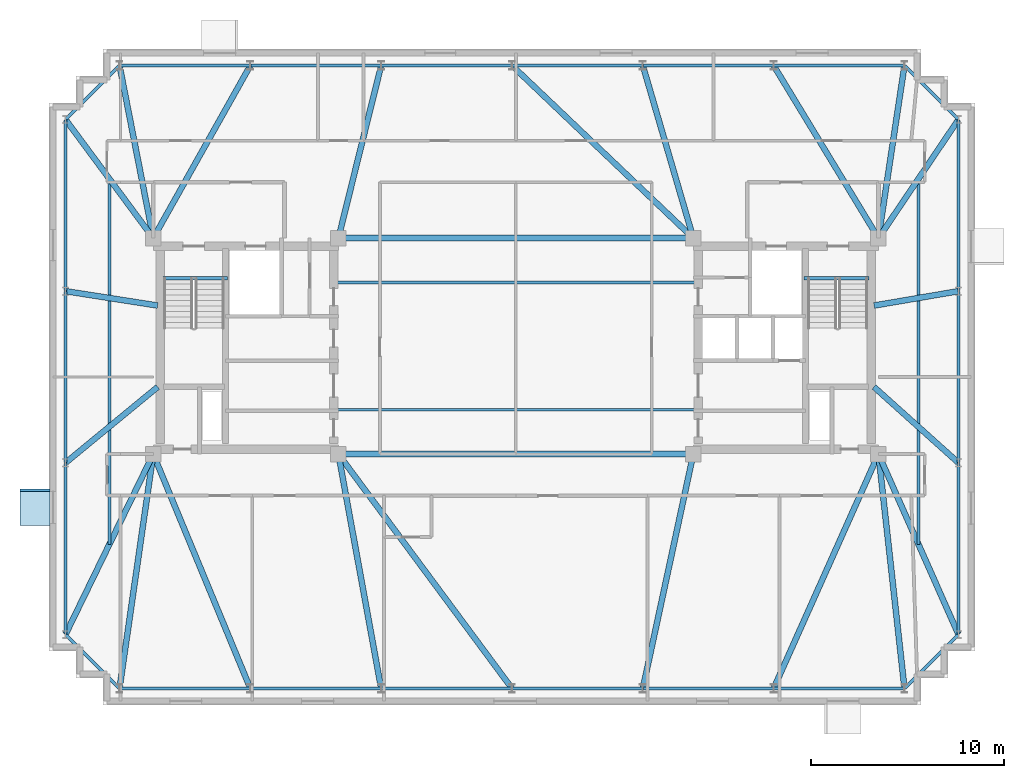
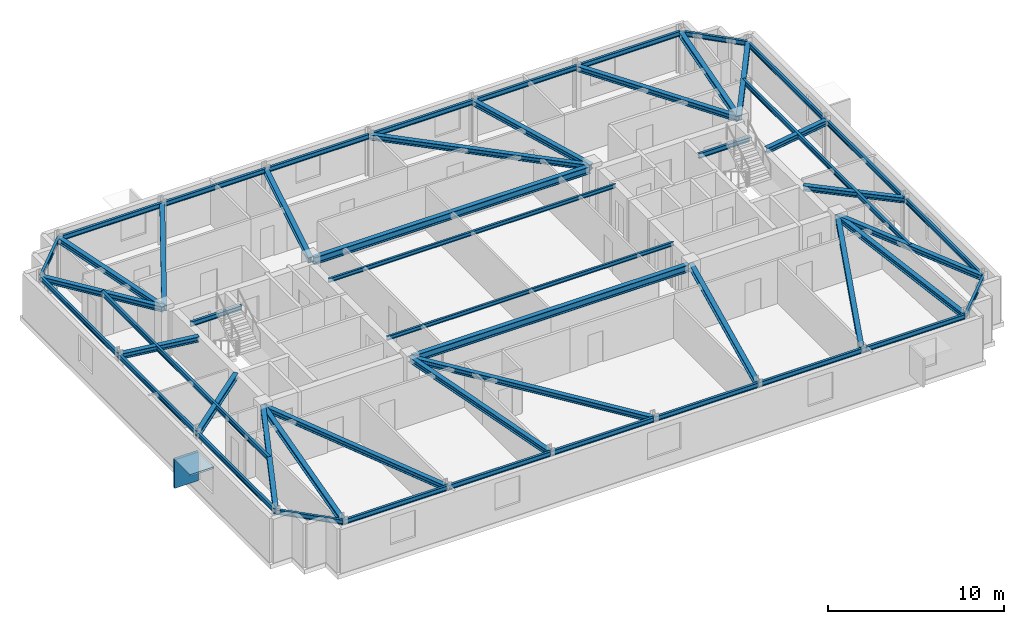
# One storey, part 4 of 10: 52 beams, 2 plates.
"""IFC4 building model written with IfcOpenShell, lengths in metres."""

from ifc_helpers import new_model, si_unit, direction, frame, origin, origin_2d, place, context, subcontext, project, spatial, rectangle, i_section, extrude, material, layer, layer_set, material_profile, profile_set, type_object, element, save


model = new_model("IFC4")

# Units and contexts
model_context = context("Model", 3, precision=1e-05, world=origin(), true_north=direction((0.0, 1.0)))
body_context = subcontext(model_context, "Body", "Model", "MODEL_VIEW")
ifc_project = project(units=[si_unit("LENGTHUNIT", "METRE"), si_unit("AREAUNIT", "SQUARE_METRE"), si_unit("VOLUMEUNIT", "CUBIC_METRE"), si_unit("PLANEANGLEUNIT", "RADIAN"), si_unit("MASSUNIT", "GRAM", prefix="KILO")], contexts=[model_context])

# Site, building, storey
site_placement = place(None, origin())
site = spatial("IfcSite", under=ifc_project, at=site_placement, CompositionType="ELEMENT")
building_placement = place(site_placement, origin())
building = spatial("IfcBuilding", under=site, at=building_placement, Name="Qobustan Lattice House", CompositionType="ELEMENT")
storey_placement = place(building_placement, frame((0.0, 0.0, 238.35009765625)))
storey = spatial("IfcBuildingStorey", under=building, at=storey_placement, Name="L67", CompositionType="ELEMENT", Elevation=238.35009765625)

# Beams
ifc_material_1 = material(Name="Steel S355", Category="steel")
ifc_material_profile_1 = material_profile(ifc_material_1, i_section(OverallWidth=0.300048828125, OverallDepth=0.5, WebThickness=0.014404296875, FlangeThickness=0.028076171875, FilletRadius=0.027099609375, at=origin_2d()), Name="HEB500")
ifc_profile_set_1 = profile_set([ifc_material_profile_1], Name="Steel S355")
beam_type_1 = type_object("IfcBeamType", Name="BM-CG-HEB500", PredefinedType="USERDEFINED", material=ifc_profile_set_1)
for number, where, z_axis, x_axis, name in (
    (1, (-9.050048828125, -5.60009765625, 2.789794921875), (1.0, 0.0, 0.0), (0.0, 1.0, 0.0), "L67 core spine girder CG-CS"),
    (2, (-9.050048828125, 5.60009765625, 2.789794921875), (1.0, 0.0, 0.0), (0.0, 1.0, 0.0), "L67 core spine girder CG-CN"),
):
    element("IfcBeam", number, at=place(storey_placement, frame(where, z_axis=z_axis, x_axis=x_axis)), inside=storey, type_object=beam_type_1, Name=name, ObjectType="GIRDER", PredefinedType="USERDEFINED", context=body_context, shape_type="SweptSolid", body=[
        extrude(i_section(OverallWidth=0.300048828125, OverallDepth=0.5, WebThickness=0.014404296875, FlangeThickness=0.028076171875, FilletRadius=0.027099609375, at=origin_2d()), origin(), (0.0, 0.0, 1.0), 18.10009765625),
    ])
ifc_material_2 = material(Name="Steel S355", Category="steel")
ifc_material_profile_2 = material_profile(ifc_material_2, i_section(OverallWidth=0.300048828125, OverallDepth=0.360107421875, WebThickness=0.012451171875, FlangeThickness=0.0224609375, FilletRadius=0.027099609375, at=origin_2d()), Name="HEB360")
ifc_profile_set_2 = profile_set([ifc_material_profile_2], Name="Steel S355")
beam_type_2 = type_object("IfcBeamType", Name="BM-FLG-HEB360", PredefinedType="USERDEFINED", material=ifc_profile_set_2)
beam_1_placement = place(storey_placement, frame((-20.54638671875, -17.725341796875, 2.85986328125), z_axis=(0.142545171265, 0.989788297642, 0.0), x_axis=(-0.989788297642, 0.142545171265, 0.0)))
element("IfcBeam", 3, at=beam_1_placement, inside=storey, type_object=beam_type_2, Name="L67 primary floor girder RAD-S1W", ObjectType="GIRDER", PredefinedType="USERDEFINED", context=body_context, shape_type="SweptSolid", body=[
    extrude(i_section(OverallWidth=0.300048828125, OverallDepth=0.360107421875, WebThickness=0.012451171875, FlangeThickness=0.0224609375, FilletRadius=0.027099609375, at=origin_2d()), origin(), (0.0, 0.0, 1.0), 12.225341796875),
])
beam_2_placement = place(storey_placement, frame((-13.7763671875, -17.726806640625, 2.85986328125), z_axis=(-0.38270783551, 0.92386942402, 0.0), x_axis=(-0.92386942402, -0.38270783551, 0.0)))
element("IfcBeam", 4, at=beam_2_placement, inside=storey, type_object=beam_type_2, Name="L67 primary floor girder RAD-S2", ObjectType="GIRDER", PredefinedType="USERDEFINED", context=body_context, shape_type="SweptSolid", body=[
    extrude(i_section(OverallWidth=0.300048828125, OverallDepth=0.360107421875, WebThickness=0.012451171875, FlangeThickness=0.0224609375, FilletRadius=0.027099609375, at=origin_2d()), origin(), (0.0, 0.0, 1.0), 13.10107421875),
])
beam_3_placement = place(storey_placement, frame((-6.98779296875, -17.725341796875, 2.85986328125), z_axis=(-0.179484493831, 0.983760802469, 0.0), x_axis=(-0.983760802469, -0.179484493831, 0.0)))
element("IfcBeam", 5, at=beam_3_placement, inside=storey, type_object=beam_type_2, Name="L67 primary floor girder RAD-S3", ObjectType="GIRDER", PredefinedType="USERDEFINED", context=body_context, shape_type="SweptSolid", body=[
    extrude(i_section(OverallWidth=0.300048828125, OverallDepth=0.360107421875, WebThickness=0.012451171875, FlangeThickness=0.0224609375, FilletRadius=0.027099609375, at=origin_2d()), origin(), (0.0, 0.0, 1.0), 12.300537109375),
])
beam_4_placement = place(storey_placement, frame((-0.21484375, -17.72998046875, 2.85986328125), z_axis=(-0.595225226069, 0.803558915233, 0.0), x_axis=(-0.803558915233, -0.595225226069, 0.0)))
element("IfcBeam", 6, at=beam_4_placement, inside=storey, type_object=beam_type_2, Name="L67 primary floor girder RAD-S4", ObjectType="GIRDER", PredefinedType="USERDEFINED", context=body_context, shape_type="SweptSolid", body=[
    extrude(i_section(OverallWidth=0.300048828125, OverallDepth=0.360107421875, WebThickness=0.012451171875, FlangeThickness=0.0224609375, FilletRadius=0.027099609375, at=origin_2d()), origin(), (0.0, 0.0, 1.0), 15.0703125),
])
beam_5_placement = place(storey_placement, frame((6.588623046875, -17.7255859375, 2.85986328125), z_axis=(0.210523018319, 0.977588900693, 0.0), x_axis=(-0.977588900693, 0.210523018319, 0.0)))
element("IfcBeam", 7, at=beam_5_placement, inside=storey, type_object=beam_type_2, Name="L67 primary floor girder RAD-S5", ObjectType="GIRDER", PredefinedType="USERDEFINED", context=body_context, shape_type="SweptSolid", body=[
    extrude(i_section(OverallWidth=0.300048828125, OverallDepth=0.360107421875, WebThickness=0.012451171875, FlangeThickness=0.0224609375, FilletRadius=0.027099609375, at=origin_2d()), origin(), (0.0, 0.0, 1.0), 12.37841796875),
])
beam_6_placement = place(storey_placement, frame((13.376953125, -17.727294921875, 2.85986328125), z_axis=(0.408219903586, 0.912883623643, 0.0), x_axis=(-0.912883623643, 0.408219903586, 0.0)))
element("IfcBeam", 8, at=beam_6_placement, inside=storey, type_object=beam_type_2, Name="L67 primary floor girder RAD-S6", ObjectType="GIRDER", PredefinedType="USERDEFINED", context=body_context, shape_type="SweptSolid", body=[
    extrude(i_section(OverallWidth=0.300048828125, OverallDepth=0.360107421875, WebThickness=0.012451171875, FlangeThickness=0.0224609375, FilletRadius=0.027099609375, at=origin_2d()), origin(), (0.0, 0.0, 1.0), 13.259521484375),
])
beam_7_placement = place(storey_placement, frame((20.147216796875, -17.72509765625, 2.85986328125), z_axis=(-0.110431526075, 0.993883734674, 0.0), x_axis=(-0.993883734674, -0.110431526075, 0.0)))
element("IfcBeam", 9, at=beam_7_placement, inside=storey, type_object=beam_type_2, Name="L67 primary floor girder RAD-S7E", ObjectType="GIRDER", PredefinedType="USERDEFINED", context=body_context, shape_type="SweptSolid", body=[
    extrude(i_section(OverallWidth=0.300048828125, OverallDepth=0.360107421875, WebThickness=0.012451171875, FlangeThickness=0.0224609375, FilletRadius=0.027099609375, at=origin_2d()), origin(), (0.0, 0.0, 1.0), 12.1748046875),
])
beam_8_placement = place(storey_placement, frame((-20.545166015625, 14.525390625, 2.85986328125), z_axis=(0.191905644581, -0.981413380578, 0.0), x_axis=(0.981413380578, 0.191905644581, 0.0)))
element("IfcBeam", 10, at=beam_8_placement, inside=storey, type_object=beam_type_2, Name="L67 primary floor girder RAD-N7W", ObjectType="GIRDER", PredefinedType="USERDEFINED", context=body_context, shape_type="SweptSolid", body=[
    extrude(i_section(OverallWidth=0.300048828125, OverallDepth=0.360107421875, WebThickness=0.012451171875, FlangeThickness=0.0224609375, FilletRadius=0.027099609375, at=origin_2d()), origin(), (0.0, 0.0, 1.0), 9.0693359375),
])
beam_9_placement = place(storey_placement, frame((-13.779052734375, 14.5283203125, 2.85986328125), z_axis=(-0.490160276962, -0.871632320929, 0.0), x_axis=(0.871632320929, -0.490160276962, 0.0)))
element("IfcBeam", 11, at=beam_9_placement, inside=storey, type_object=beam_type_2, Name="L67 primary floor girder RAD-N6", ObjectType="GIRDER", PredefinedType="USERDEFINED", context=body_context, shape_type="SweptSolid", body=[
    extrude(i_section(OverallWidth=0.300048828125, OverallDepth=0.360107421875, WebThickness=0.012451171875, FlangeThickness=0.0224609375, FilletRadius=0.027099609375, at=origin_2d()), origin(), (0.0, 0.0, 1.0), 10.21826171875),
])
beam_10_placement = place(storey_placement, frame((-6.9892578125, 14.525634765625, 2.85986328125), z_axis=(-0.240430288899, -0.970666408289, 0.0), x_axis=(0.970666408289, -0.240430288899, 0.0)))
element("IfcBeam", 12, at=beam_10_placement, inside=storey, type_object=beam_type_2, Name="L67 primary floor girder RAD-N5", ObjectType="GIRDER", PredefinedType="USERDEFINED", context=body_context, shape_type="SweptSolid", body=[
    extrude(i_section(OverallWidth=0.300048828125, OverallDepth=0.360107421875, WebThickness=0.012451171875, FlangeThickness=0.0224609375, FilletRadius=0.027099609375, at=origin_2d()), origin(), (0.0, 0.0, 1.0), 9.17041015625),
])
beam_11_placement = place(storey_placement, frame((-0.181884765625, 14.53271484375, 2.85986328125), z_axis=(0.724228633775, -0.689559921995, 0.0), x_axis=(0.689559921995, 0.724228633775, 0.0)))
element("IfcBeam", 13, at=beam_11_placement, inside=storey, type_object=beam_type_2, Name="L67 primary floor girder RAD-N4", ObjectType="GIRDER", PredefinedType="USERDEFINED", context=body_context, shape_type="SweptSolid", body=[
    extrude(i_section(OverallWidth=0.300048828125, OverallDepth=0.360107421875, WebThickness=0.012451171875, FlangeThickness=0.0224609375, FilletRadius=0.027099609375, at=origin_2d()), origin(), (0.0, 0.0, 1.0), 12.92919921875),
])
beam_12_placement = place(storey_placement, frame((6.59033203125, 14.52587890625, 2.85986328125), z_axis=(0.28063676088, -0.959814048888, 0.0), x_axis=(0.959814048888, 0.28063676088, 0.0)))
element("IfcBeam", 14, at=beam_12_placement, inside=storey, type_object=beam_type_2, Name="L67 primary floor girder RAD-N3", ObjectType="GIRDER", PredefinedType="USERDEFINED", context=body_context, shape_type="SweptSolid", body=[
    extrude(i_section(OverallWidth=0.300048828125, OverallDepth=0.360107421875, WebThickness=0.012451171875, FlangeThickness=0.0224609375, FilletRadius=0.027099609375, at=origin_2d()), origin(), (0.0, 0.0, 1.0), 9.274658203125),
])
beam_13_placement = place(storey_placement, frame((13.379638671875, 14.528564453125, 2.85986328125), z_axis=(0.518943895492, -0.854808302096, 0.0), x_axis=(0.854808302096, 0.518943895492, 0.0)))
element("IfcBeam", 15, at=beam_13_placement, inside=storey, type_object=beam_type_2, Name="L67 primary floor girder RAD-N2", ObjectType="GIRDER", PredefinedType="USERDEFINED", context=body_context, shape_type="SweptSolid", body=[
    extrude(i_section(OverallWidth=0.300048828125, OverallDepth=0.360107421875, WebThickness=0.012451171875, FlangeThickness=0.0224609375, FilletRadius=0.027099609375, at=origin_2d()), origin(), (0.0, 0.0, 1.0), 10.420166015625),
])
beam_14_placement = place(storey_placement, frame((20.146240234375, 14.525390625, 2.85986328125), z_axis=(-0.149148118249, -0.988814865798, 0.0), x_axis=(0.988814865798, -0.149148118249, 0.0)))
element("IfcBeam", 16, at=beam_14_placement, inside=storey, type_object=beam_type_2, Name="L67 primary floor girder RAD-N1E", ObjectType="GIRDER", PredefinedType="USERDEFINED", context=body_context, shape_type="SweptSolid", body=[
    extrude(i_section(OverallWidth=0.300048828125, OverallDepth=0.360107421875, WebThickness=0.012451171875, FlangeThickness=0.0224609375, FilletRadius=0.027099609375, at=origin_2d()), origin(), (0.0, 0.0, 1.0), 9.001220703125),
])
beam_15_placement = place(storey_placement, frame((-23.335205078125, 11.72998046875, 2.85986328125), z_axis=(0.594754993974, -0.80390702021, 0.0), x_axis=(0.80390702021, 0.594754993974, 0.0)))
element("IfcBeam", 17, at=beam_15_placement, inside=storey, type_object=beam_type_2, Name="L67 primary floor girder RAD-W1", ObjectType="GIRDER", PredefinedType="USERDEFINED", context=body_context, shape_type="SweptSolid", body=[
    extrude(i_section(OverallWidth=0.300048828125, OverallDepth=0.360107421875, WebThickness=0.012451171875, FlangeThickness=0.0224609375, FilletRadius=0.027099609375, at=origin_2d()), origin(), (0.0, 0.0, 1.0), 7.60009765625),
])
beam_16_placement = place(storey_placement, frame((-23.3251953125, 2.84619140625, 2.85986328125), z_axis=(0.988014453876, -0.154361390677, 0.0), x_axis=(0.154361390677, 0.988014453876, 0.0)))
element("IfcBeam", 18, at=beam_16_placement, inside=storey, type_object=beam_type_2, Name="L67 primary floor girder RAD-W2", ObjectType="GIRDER", PredefinedType="USERDEFINED", context=body_context, shape_type="SweptSolid", body=[
    extrude(i_section(OverallWidth=0.300048828125, OverallDepth=0.360107421875, WebThickness=0.012451171875, FlangeThickness=0.0224609375, FilletRadius=0.027099609375, at=origin_2d()), origin(), (0.0, 0.0, 1.0), 4.80810546875),
])
beam_17_placement = place(storey_placement, frame((-23.330810546875, -6.0341796875, 2.85986328125), z_axis=(0.772169041192, 0.635417163621, 0.0), x_axis=(-0.635417163621, 0.772169041192, 0.0)))
element("IfcBeam", 19, at=beam_17_placement, inside=storey, type_object=beam_type_2, Name="L67 primary floor girder RAD-W3", ObjectType="GIRDER", PredefinedType="USERDEFINED", context=body_context, shape_type="SweptSolid", body=[
    extrude(i_section(OverallWidth=0.300048828125, OverallDepth=0.360107421875, WebThickness=0.012451171875, FlangeThickness=0.0224609375, FilletRadius=0.027099609375, at=origin_2d()), origin(), (0.0, 0.0, 1.0), 6.166259765625),
])
beam_18_placement = place(storey_placement, frame((-23.339111328125, -14.927490234375, 2.85986328125), z_axis=(0.437590490598, 0.899174378271, 0.0), x_axis=(-0.899174378271, 0.437590490598, 0.0)))
element("IfcBeam", 20, at=beam_18_placement, inside=storey, type_object=beam_type_2, Name="L67 primary floor girder RAD-W4", ObjectType="GIRDER", PredefinedType="USERDEFINED", context=body_context, shape_type="SweptSolid", body=[
    extrude(i_section(OverallWidth=0.300048828125, OverallDepth=0.360107421875, WebThickness=0.012451171875, FlangeThickness=0.0224609375, FilletRadius=0.027099609375, at=origin_2d()), origin(), (0.0, 0.0, 1.0), 10.348388671875),
])
beam_19_placement = place(storey_placement, frame((22.93603515625, 11.729248046875, 2.85986328125), z_axis=(-0.559355068937, -0.828928167488, 0.0), x_axis=(0.828928167488, -0.559355068937, 0.0)))
element("IfcBeam", 21, at=beam_19_placement, inside=storey, type_object=beam_type_2, Name="L67 primary floor girder RAD-E4", ObjectType="GIRDER", PredefinedType="USERDEFINED", context=body_context, shape_type="SweptSolid", body=[
    extrude(i_section(OverallWidth=0.300048828125, OverallDepth=0.360107421875, WebThickness=0.012451171875, FlangeThickness=0.0224609375, FilletRadius=0.027099609375, at=origin_2d()), origin(), (0.0, 0.0, 1.0), 7.369384765625),
])
beam_20_placement = place(storey_placement, frame((22.92529296875, 2.845703125, 2.85986328125), z_axis=(-0.985786297247, -0.168004095664, 0.0), x_axis=(0.168004095664, -0.985786297247, 0.0)))
element("IfcBeam", 22, at=beam_20_placement, inside=storey, type_object=beam_type_2, Name="L67 primary floor girder RAD-E3", ObjectType="GIRDER", PredefinedType="USERDEFINED", context=body_context, shape_type="SweptSolid", body=[
    extrude(i_section(OverallWidth=0.300048828125, OverallDepth=0.360107421875, WebThickness=0.012451171875, FlangeThickness=0.0224609375, FilletRadius=0.027099609375, at=origin_2d()), origin(), (0.0, 0.0, 1.0), 4.413330078125),
])
beam_21_placement = place(storey_placement, frame((22.931396484375, -6.033203125, 2.85986328125), z_axis=(-0.744142492307, 0.668020921186, 0.0), x_axis=(-0.668020921186, -0.744142492307, 0.0)))
element("IfcBeam", 23, at=beam_21_placement, inside=storey, type_object=beam_type_2, Name="L67 primary floor girder RAD-E2", ObjectType="GIRDER", PredefinedType="USERDEFINED", context=body_context, shape_type="SweptSolid", body=[
    extrude(i_section(OverallWidth=0.300048828125, OverallDepth=0.360107421875, WebThickness=0.012451171875, FlangeThickness=0.0224609375, FilletRadius=0.027099609375, at=origin_2d()), origin(), (0.0, 0.0, 1.0), 5.86279296875),
])
beam_22_placement = place(storey_placement, frame((22.93994140625, -14.927001953125, 2.85986328125), z_axis=(-0.405702269061, 0.914005289306, 0.0), x_axis=(-0.914005289306, -0.405702269061, 0.0)))
element("IfcBeam", 24, at=beam_22_placement, inside=storey, type_object=beam_type_2, Name="L67 primary floor girder RAD-E1", ObjectType="GIRDER", PredefinedType="USERDEFINED", context=body_context, shape_type="SweptSolid", body=[
    extrude(i_section(OverallWidth=0.300048828125, OverallDepth=0.360107421875, WebThickness=0.012451171875, FlangeThickness=0.0224609375, FilletRadius=0.027099609375, at=origin_2d()), origin(), (0.0, 0.0, 1.0), 10.1796875),
])
ifc_material_3 = material(Name="Steel S355", Category="steel")
ifc_material_profile_3 = material_profile(ifc_material_3, i_section(OverallWidth=0.135009765625, OverallDepth=0.27001953125, WebThickness=0.006591796875, FlangeThickness=0.01025390625, FilletRadius=0.014892578125, at=origin_2d()), Name="IPE270")
ifc_profile_set_3 = profile_set([ifc_material_profile_3], Name="Steel S355")
beam_type_3 = type_object("IfcBeamType", Name="BM-JST-IPE270", PredefinedType="JOIST", material=ifc_profile_set_3)
for number, where, z_axis, x_axis, name in (
    (25, (-9.39990234375, -3.300048828125, 2.90478515625), (1.0, 0.0, 0.0), (0.0, 1.0, 0.0), "L67 central span floor joist 1"),
    (26, (-9.39990234375, 3.300048828125, 2.90478515625), (1.0, 0.0, 0.0), (0.0, 1.0, 0.0), "L67 central span floor joist 2"),
):
    element("IfcBeam", number, at=place(storey_placement, frame(where, z_axis=z_axis, x_axis=x_axis)), inside=storey, type_object=beam_type_3, Name=name, PredefinedType="JOIST", context=body_context, shape_type="SweptSolid", body=[
        extrude(i_section(OverallWidth=0.135009765625, OverallDepth=0.27001953125, WebThickness=0.006591796875, FlangeThickness=0.01025390625, FilletRadius=0.014892578125, at=origin_2d()), origin(), (0.0, 0.0, 1.0), 18.7998046875),
    ])
ifc_material_4 = material(Name="Steel S355", Category="steel")
ifc_material_profile_4 = material_profile(ifc_material_4, i_section(OverallWidth=0.159912109375, OverallDepth=0.330078125, WebThickness=0.007568359375, FlangeThickness=0.011474609375, FilletRadius=0.01806640625, at=origin_2d()), Name="IPE330")
ifc_profile_set_4 = profile_set([ifc_material_profile_4], Name="Steel S355")
beam_type_4 = type_object("IfcBeamType", Name="BM-SEC-IPE330", PredefinedType="BEAM", material=ifc_profile_set_4)
for number, where, z_axis, x_axis, name in (
    (27, (-21.074951171875, 8.675048828125, 2.875), (0.0, -1.0, 0.0), (1.0, 0.0, 0.0), "L67 west wing secondary beam"),
    (28, (20.875, 8.675048828125, 2.875), (0.0, -1.0, 0.0), (1.0, 0.0, 0.0), "L67 east wing secondary beam"),
):
    element("IfcBeam", number, at=place(storey_placement, frame(where, z_axis=z_axis, x_axis=x_axis)), inside=storey, type_object=beam_type_4, Name=name, PredefinedType="BEAM", context=body_context, shape_type="SweptSolid", body=[
        extrude(i_section(OverallWidth=0.159912109375, OverallDepth=0.330078125, WebThickness=0.007568359375, FlangeThickness=0.011474609375, FilletRadius=0.01806640625, at=origin_2d()), origin(), (0.0, 0.0, 1.0), 18.949951171875),
    ])
ifc_material_5 = material(Name="Steel S355", Category="steel")
ifc_material_profile_5 = material_profile(ifc_material_5, i_section(OverallWidth=0.159912109375, OverallDepth=0.330078125, WebThickness=0.007568359375, FlangeThickness=0.011474609375, FilletRadius=0.01806640625, at=origin_2d()), Name="IPE330")
ifc_profile_set_5 = profile_set([ifc_material_profile_5], Name="Steel S355")
beam_type_5 = type_object("IfcBeamType", Name="BM-SPD-IPE330", PredefinedType="SPANDREL", material=ifc_profile_set_5)
for number, where, z_axis, x_axis, name in (
    (29, (-18.300048828125, 3.52001953125, 2.875), (1.0, 0.0, 0.0), (0.0, 1.0, 0.0), "L67 west stair landing trimmer beam"),
    (30, (14.949951171875, 3.52001953125, 2.875), (1.0, 0.0, 0.0), (0.0, 1.0, 0.0), "L67 east stair landing trimmer beam"),
):
    element("IfcBeam", number, at=place(storey_placement, frame(where, z_axis=z_axis, x_axis=x_axis)), inside=storey, type_object=beam_type_5, Name=name, PredefinedType="SPANDREL", context=body_context, shape_type="SweptSolid", body=[
        extrude(i_section(OverallWidth=0.159912109375, OverallDepth=0.330078125, WebThickness=0.007568359375, FlangeThickness=0.011474609375, FilletRadius=0.01806640625, at=origin_2d()), origin(), (0.0, 0.0, 1.0), 3.35009765625),
    ])
beam_23_placement = place(storey_placement, frame((-20.52490234375, -17.75, 2.875), z_axis=(1.0, 0.0, 0.0), x_axis=(0.0, 1.0, 0.0)))
element("IfcBeam", 31, at=beam_23_placement, inside=storey, type_object=beam_type_5, Name="L67 perimeter spandrel S1-S2", PredefinedType="SPANDREL", context=body_context, shape_type="SweptSolid", body=[
    extrude(i_section(OverallWidth=0.159912109375, OverallDepth=0.330078125, WebThickness=0.007568359375, FlangeThickness=0.011474609375, FilletRadius=0.01806640625, at=origin_2d()), origin(), (0.0, 0.0, 1.0), 6.733154296875),
])
beam_24_placement = place(storey_placement, frame((-13.74169921875, -17.75, 2.875), z_axis=(1.0, 0.0, 0.0), x_axis=(0.0, 1.0, 0.0)))
element("IfcBeam", 32, at=beam_24_placement, inside=storey, type_object=beam_type_5, Name="L67 perimeter spandrel S2-S3", PredefinedType="SPANDREL", context=body_context, shape_type="SweptSolid", body=[
    extrude(i_section(OverallWidth=0.159912109375, OverallDepth=0.330078125, WebThickness=0.007568359375, FlangeThickness=0.011474609375, FilletRadius=0.01806640625, at=origin_2d()), origin(), (0.0, 0.0, 1.0), 6.7333984375),
])
beam_25_placement = place(storey_placement, frame((-6.958251953125, -17.75, 2.875), z_axis=(1.0, 0.0, 0.0), x_axis=(0.0, 1.0, 0.0)))
element("IfcBeam", 33, at=beam_25_placement, inside=storey, type_object=beam_type_5, Name="L67 perimeter spandrel S3-S4", PredefinedType="SPANDREL", context=body_context, shape_type="SweptSolid", body=[
    extrude(i_section(OverallWidth=0.159912109375, OverallDepth=0.330078125, WebThickness=0.007568359375, FlangeThickness=0.011474609375, FilletRadius=0.01806640625, at=origin_2d()), origin(), (0.0, 0.0, 1.0), 6.733154296875),
])
for number, where, z_axis, x_axis, name in (
    (34, (-0.175048828125, -17.75, 2.875), (1.0, 0.0, 0.0), (0.0, 1.0, 0.0), "L67 perimeter spandrel S4-S5"),
    (35, (6.6083984375, -17.75, 2.875), (1.0, 0.0, 0.0), (0.0, 1.0, 0.0), "L67 perimeter spandrel S5-S6"),
    (36, (13.3916015625, -17.75, 2.875), (1.0, 0.0, 0.0), (0.0, 1.0, 0.0), "L67 perimeter spandrel S6-S7"),
):
    element("IfcBeam", number, at=place(storey_placement, frame(where, z_axis=z_axis, x_axis=x_axis)), inside=storey, type_object=beam_type_5, Name=name, PredefinedType="SPANDREL", context=body_context, shape_type="SweptSolid", body=[
        extrude(i_section(OverallWidth=0.159912109375, OverallDepth=0.330078125, WebThickness=0.007568359375, FlangeThickness=0.011474609375, FilletRadius=0.01806640625, at=origin_2d()), origin(), (0.0, 0.0, 1.0), 6.7333984375),
    ])
beam_26_placement = place(storey_placement, frame((20.167724609375, -17.732421875, 2.875), z_axis=(0.707106781187, 0.707106781187, 0.0), x_axis=(-0.707106781187, 0.707106781187, 0.0)))
element("IfcBeam", 37, at=beam_26_placement, inside=storey, type_object=beam_type_5, Name="L67 perimeter spandrel S7-E1", PredefinedType="SPANDREL", context=body_context, shape_type="SweptSolid", body=[
    extrude(i_section(OverallWidth=0.159912109375, OverallDepth=0.330078125, WebThickness=0.007568359375, FlangeThickness=0.011474609375, FilletRadius=0.01806640625, at=origin_2d()), origin(), (0.0, 0.0, 1.0), 3.909912109375),
])
beam_27_placement = place(storey_placement, frame((22.949951171875, -14.925048828125, 2.875), z_axis=(0.0, 1.0, 0.0), x_axis=(-1.0, 0.0, 0.0)))
element("IfcBeam", 38, at=beam_27_placement, inside=storey, type_object=beam_type_5, Name="L67 perimeter spandrel E1-E2", PredefinedType="SPANDREL", context=body_context, shape_type="SweptSolid", body=[
    extrude(i_section(OverallWidth=0.159912109375, OverallDepth=0.330078125, WebThickness=0.007568359375, FlangeThickness=0.011474609375, FilletRadius=0.01806640625, at=origin_2d()), origin(), (0.0, 0.0, 1.0), 8.85009765625),
])
beam_28_placement = place(storey_placement, frame((22.949951171875, -6.02490234375, 2.875), z_axis=(0.0, 1.0, 0.0), x_axis=(-1.0, 0.0, 0.0)))
element("IfcBeam", 39, at=beam_28_placement, inside=storey, type_object=beam_type_5, Name="L67 perimeter spandrel E2-E3", PredefinedType="SPANDREL", context=body_context, shape_type="SweptSolid", body=[
    extrude(i_section(OverallWidth=0.159912109375, OverallDepth=0.330078125, WebThickness=0.007568359375, FlangeThickness=0.011474609375, FilletRadius=0.01806640625, at=origin_2d()), origin(), (0.0, 0.0, 1.0), 8.849853515625),
])
beam_29_placement = place(storey_placement, frame((22.949951171875, 2.875, 2.875), z_axis=(0.0, 1.0, 0.0), x_axis=(-1.0, 0.0, 0.0)))
element("IfcBeam", 40, at=beam_29_placement, inside=storey, type_object=beam_type_5, Name="L67 perimeter spandrel E3-E4", PredefinedType="SPANDREL", context=body_context, shape_type="SweptSolid", body=[
    extrude(i_section(OverallWidth=0.159912109375, OverallDepth=0.330078125, WebThickness=0.007568359375, FlangeThickness=0.011474609375, FilletRadius=0.01806640625, at=origin_2d()), origin(), (0.0, 0.0, 1.0), 8.85009765625),
])
beam_30_placement = place(storey_placement, frame((22.932373046875, 11.767578125, 2.875), z_axis=(-0.707106781187, 0.707106781187, 0.0), x_axis=(-0.707106781187, -0.707106781187, 0.0)))
element("IfcBeam", 41, at=beam_30_placement, inside=storey, type_object=beam_type_5, Name="L67 perimeter spandrel E4-N1", PredefinedType="SPANDREL", context=body_context, shape_type="SweptSolid", body=[
    extrude(i_section(OverallWidth=0.159912109375, OverallDepth=0.330078125, WebThickness=0.007568359375, FlangeThickness=0.011474609375, FilletRadius=0.01806640625, at=origin_2d()), origin(), (0.0, 0.0, 1.0), 3.909912109375),
])
for number, where, z_axis, x_axis, name in (
    (42, (20.125, 14.550048828125, 2.875), (-1.0, 0.0, 0.0), (0.0, -1.0, 0.0), "L67 perimeter spandrel N1-N2"),
    (43, (13.341796875, 14.550048828125, 2.875), (-1.0, 0.0, 0.0), (0.0, -1.0, 0.0), "L67 perimeter spandrel N2-N3"),
    (44, (6.558349609375, 14.550048828125, 2.875), (-1.0, 0.0, 0.0), (0.0, -1.0, 0.0), "L67 perimeter spandrel N3-N4"),
):
    element("IfcBeam", number, at=place(storey_placement, frame(where, z_axis=z_axis, x_axis=x_axis)), inside=storey, type_object=beam_type_5, Name=name, PredefinedType="SPANDREL", context=body_context, shape_type="SweptSolid", body=[
        extrude(i_section(OverallWidth=0.159912109375, OverallDepth=0.330078125, WebThickness=0.007568359375, FlangeThickness=0.011474609375, FilletRadius=0.01806640625, at=origin_2d()), origin(), (0.0, 0.0, 1.0), 6.7333984375),
    ])
beam_31_placement = place(storey_placement, frame((-0.22509765625, 14.550048828125, 2.875), z_axis=(-1.0, 0.0, 0.0), x_axis=(0.0, -1.0, 0.0)))
element("IfcBeam", 45, at=beam_31_placement, inside=storey, type_object=beam_type_5, Name="L67 perimeter spandrel N4-N5", PredefinedType="SPANDREL", context=body_context, shape_type="SweptSolid", body=[
    extrude(i_section(OverallWidth=0.159912109375, OverallDepth=0.330078125, WebThickness=0.007568359375, FlangeThickness=0.011474609375, FilletRadius=0.01806640625, at=origin_2d()), origin(), (0.0, 0.0, 1.0), 6.733154296875),
])
beam_32_placement = place(storey_placement, frame((-7.00830078125, 14.550048828125, 2.875), z_axis=(-1.0, 0.0, 0.0), x_axis=(0.0, -1.0, 0.0)))
element("IfcBeam", 46, at=beam_32_placement, inside=storey, type_object=beam_type_5, Name="L67 perimeter spandrel N5-N6", PredefinedType="SPANDREL", context=body_context, shape_type="SweptSolid", body=[
    extrude(i_section(OverallWidth=0.159912109375, OverallDepth=0.330078125, WebThickness=0.007568359375, FlangeThickness=0.011474609375, FilletRadius=0.01806640625, at=origin_2d()), origin(), (0.0, 0.0, 1.0), 6.7333984375),
])
beam_33_placement = place(storey_placement, frame((-13.791748046875, 14.550048828125, 2.875), z_axis=(-1.0, 0.0, 0.0), x_axis=(0.0, -1.0, 0.0)))
element("IfcBeam", 47, at=beam_33_placement, inside=storey, type_object=beam_type_5, Name="L67 perimeter spandrel N6-N7", PredefinedType="SPANDREL", context=body_context, shape_type="SweptSolid", body=[
    extrude(i_section(OverallWidth=0.159912109375, OverallDepth=0.330078125, WebThickness=0.007568359375, FlangeThickness=0.011474609375, FilletRadius=0.01806640625, at=origin_2d()), origin(), (0.0, 0.0, 1.0), 6.733154296875),
])
beam_34_placement = place(storey_placement, frame((-20.567626953125, 14.5322265625, 2.875), z_axis=(-0.707106781187, -0.707106781187, 0.0), x_axis=(0.707106781187, -0.707106781187, 0.0)))
element("IfcBeam", 48, at=beam_34_placement, inside=storey, type_object=beam_type_5, Name="L67 perimeter spandrel N7-W1", PredefinedType="SPANDREL", context=body_context, shape_type="SweptSolid", body=[
    extrude(i_section(OverallWidth=0.159912109375, OverallDepth=0.330078125, WebThickness=0.007568359375, FlangeThickness=0.011474609375, FilletRadius=0.01806640625, at=origin_2d()), origin(), (0.0, 0.0, 1.0), 3.909912109375),
])
beam_35_placement = place(storey_placement, frame((-23.35009765625, 11.72509765625, 2.875), z_axis=(0.0, -1.0, 0.0), x_axis=(1.0, 0.0, 0.0)))
element("IfcBeam", 49, at=beam_35_placement, inside=storey, type_object=beam_type_5, Name="L67 perimeter spandrel W1-W2", PredefinedType="SPANDREL", context=body_context, shape_type="SweptSolid", body=[
    extrude(i_section(OverallWidth=0.159912109375, OverallDepth=0.330078125, WebThickness=0.007568359375, FlangeThickness=0.011474609375, FilletRadius=0.01806640625, at=origin_2d()), origin(), (0.0, 0.0, 1.0), 8.85009765625),
])
beam_36_placement = place(storey_placement, frame((-23.35009765625, 2.824951171875, 2.875), z_axis=(0.0, -1.0, 0.0), x_axis=(1.0, 0.0, 0.0)))
element("IfcBeam", 50, at=beam_36_placement, inside=storey, type_object=beam_type_5, Name="L67 perimeter spandrel W2-W3", PredefinedType="SPANDREL", context=body_context, shape_type="SweptSolid", body=[
    extrude(i_section(OverallWidth=0.159912109375, OverallDepth=0.330078125, WebThickness=0.007568359375, FlangeThickness=0.011474609375, FilletRadius=0.01806640625, at=origin_2d()), origin(), (0.0, 0.0, 1.0), 8.849853515625),
])
beam_37_placement = place(storey_placement, frame((-23.35009765625, -6.074951171875, 2.875), z_axis=(0.0, -1.0, 0.0), x_axis=(1.0, 0.0, 0.0)))
element("IfcBeam", 51, at=beam_37_placement, inside=storey, type_object=beam_type_5, Name="L67 perimeter spandrel W3-W4", PredefinedType="SPANDREL", context=body_context, shape_type="SweptSolid", body=[
    extrude(i_section(OverallWidth=0.159912109375, OverallDepth=0.330078125, WebThickness=0.007568359375, FlangeThickness=0.011474609375, FilletRadius=0.01806640625, at=origin_2d()), origin(), (0.0, 0.0, 1.0), 8.85009765625),
])
beam_38_placement = place(storey_placement, frame((-23.332275390625, -14.9677734375, 2.875), z_axis=(0.707106781187, -0.707106781187, 0.0), x_axis=(0.707106781187, 0.707106781187, 0.0)))
element("IfcBeam", 52, at=beam_38_placement, inside=storey, type_object=beam_type_5, Name="L67 perimeter spandrel W4-S1", PredefinedType="SPANDREL", context=body_context, shape_type="SweptSolid", body=[
    extrude(i_section(OverallWidth=0.159912109375, OverallDepth=0.330078125, WebThickness=0.007568359375, FlangeThickness=0.011474609375, FilletRadius=0.01806640625, at=origin_2d()), origin(), (0.0, 0.0, 1.0), 3.909912109375),
])

# Plates
ifc_material_6 = material(Name="Qobustan limestone GFRC", Category="masonry")
ifc_layer = layer(ifc_material_6, 0.1201171875)
ifc_layer_set = layer_set([ifc_layer], Name="Qobustan limestone GFRC")
plate_type = type_object("IfcPlateType", Name="SHD-HOOD-BROW", PredefinedType="USERDEFINED", material=ifc_layer_set)
plate_1_placement = place(storey_placement, frame((-24.929931640625, -8.360107421875, 2.699951171875), z_axis=(0.0, 0.0, 1.0), x_axis=(0.0, 1.0, 0.0)))
element("IfcPlate", 53, at=plate_1_placement, inside=storey, type_object=plate_type, Name="L67 splayed Qobustan stone hood brow", ObjectType="SUNSHADE", PredefinedType="USERDEFINED", context=body_context, shape_type="SweptSolid", body=[
    extrude(rectangle(XDim=1.889892578125, YDim=1.56005859375, at=origin_2d()), origin(), (0.0, 0.0, 1.0), 0.1201171875),
])
plate_2_placement = place(storey_placement, frame((-24.929931640625, -7.47509765625, 0.7900390625), z_axis=(0.0, 0.0, 1.0), x_axis=(0.0, 1.0, 0.0)))
element("IfcPlate", 54, at=plate_2_placement, inside=storey, type_object=plate_type, Name="L67 splayed Qobustan stone hood cheek", ObjectType="SUNSHADE", PredefinedType="USERDEFINED", context=body_context, shape_type="SweptSolid", body=[
    extrude(rectangle(XDim=0.1201171875, YDim=1.56005859375, at=origin_2d()), origin(), (0.0, 0.0, 1.0), 1.969970703125),
])

save(model, "model.ifc")
